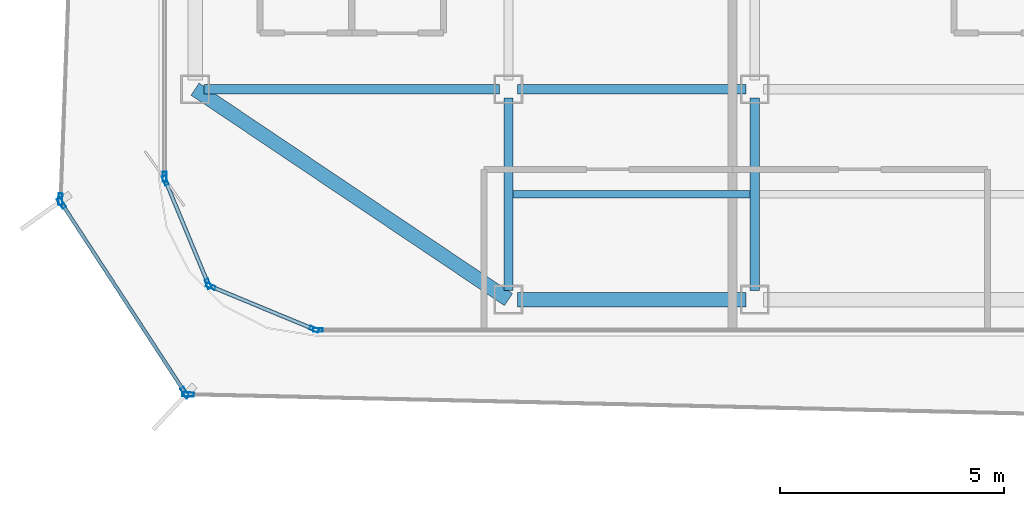
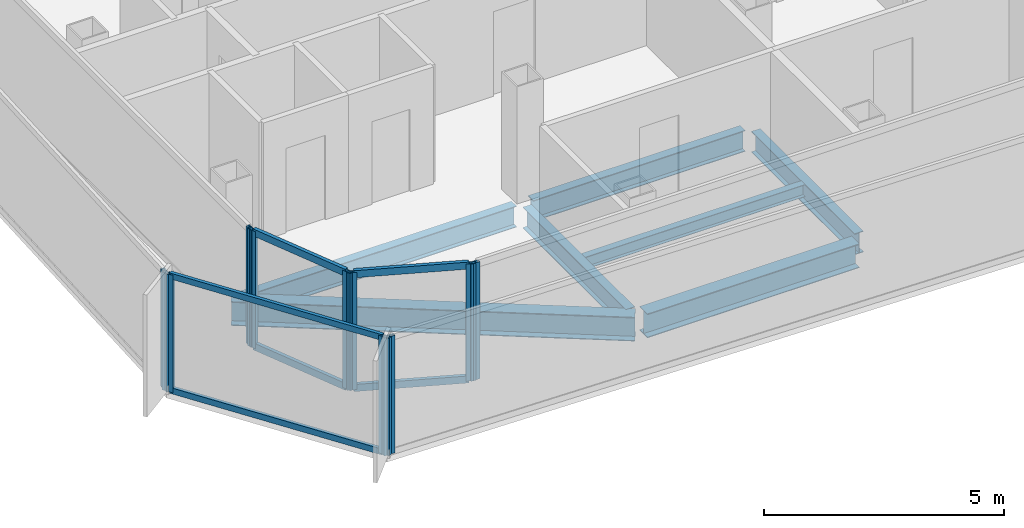
# One storey, part 2 of 15: 16 members, 7 beams, 7 elements without a shape of their own.
"""IFC4 building model written with IfcOpenShell, lengths in metres."""

import ifcopenshell
import ifcopenshell.guid

model = None  # the IFC model being written
_history = None  # IfcOwnerHistory: only IFC2X3 demands one
_inside = {}  # id of a spatial element -> (the spatial element, [elements in it])
_under = {}  # id of a project, library or spatial element -> (it, [spatial elements below it])
_declared = {}  # id of a project -> (the project, [libraries it declares])
_typed = {}  # id of a type object -> (the type object, [elements of that type])
_made_of = {}  # id of a material, layer set ... -> (it, [elements and type objects made of it])


def new_model(schema):
    """Start an empty IFC model of exactly this schema.

    Asked for "IFC4X3", IfcOpenShell would pick the latest addendum, in which some entities
    have other attributes; the version numbers below select the first issue.
    IFC2X3 requires an IfcOwnerHistory on every rooted entity: one is made here for all.
    """
    global model, _history
    if schema == "IFC4X3":
        model = ifcopenshell.file(schema_version=(4, 3, 0, 0))
    else:
        model = ifcopenshell.file(schema=schema)
    _inside.clear()
    _under.clear()
    _declared.clear()
    _typed.clear()
    _made_of.clear()
    _history = None
    if model.schema == "IFC2X3":
        org = make("IfcOrganization", Name="unknown")
        user = make(
            "IfcPersonAndOrganization",
            ThePerson=make("IfcPerson", FamilyName="unknown"),
            TheOrganization=org,
        )
        app = make(
            "IfcApplication",
            ApplicationDeveloper=org,
            Version="unknown",
            ApplicationFullName="unknown",
            ApplicationIdentifier="unknown",
        )
        _history = make(
            "IfcOwnerHistory",
            OwningUser=user,
            OwningApplication=app,
            ChangeAction="ADDED",
            CreationDate=0,
        )
    return model


def make(cls, **values):
    """One entity of the class cls with the attributes given. An attribute that is None is left unset."""
    return model.create_entity(
        cls, **{name: value for name, value in values.items() if value is not None}
    )


def rooted(cls, **values):
    """An entity with a GlobalId (a new one), such as an element, a storey or a relation."""
    return make(cls, GlobalId=ifcopenshell.guid.new(), OwnerHistory=_history, **values)


def si_unit(unit_type, name, prefix=None):
    """IfcSIUnit, for example si_unit("LENGTHUNIT", "METRE", prefix="MILLI")."""
    return make("IfcSIUnit", UnitType=unit_type, Prefix=prefix, Name=name)


def assignment(units):
    """IfcUnitAssignment: the units of a project."""
    return None if units is None else make("IfcUnitAssignment", Units=units)


def point(xyz):
    """IfcCartesianPoint."""
    return None if xyz is None else make("IfcCartesianPoint", Coordinates=xyz)


def direction(xyz):
    """IfcDirection."""
    return None if xyz is None else make("IfcDirection", DirectionRatios=xyz)


def frame(location, z_axis=None, x_axis=None):
    """IfcAxis2Placement3D, a coordinate frame: its origin and axes. An axis left out is left unset."""
    return make(
        "IfcAxis2Placement3D",
        Location=point(location),
        Axis=direction(z_axis),
        RefDirection=direction(x_axis),
    )


def frame_2d(location, x_axis=None):
    """IfcAxis2Placement2D, a coordinate frame in the plane: its origin and x axis."""
    return make(
        "IfcAxis2Placement2D", Location=point(location), RefDirection=direction(x_axis)
    )


def origin():
    """The frame at (0, 0, 0) with its axes left unset."""
    return frame((0.0, 0.0, 0.0))


def origin_2d():
    """The frame at (0, 0) in the plane with its x axis left unset."""
    return frame_2d((0.0, 0.0))


def place(relative_to, where):
    """IfcLocalPlacement: puts the frame where relative to a parent placement (None: the world)."""
    return make(
        "IfcLocalPlacement", PlacementRelTo=relative_to, RelativePlacement=where
    )


def context(
    kind, dimensions, precision=None, world=None, true_north=None, identifier=None
):
    """IfcGeometricRepresentationContext, for example the 3D "Model" context."""
    return make(
        "IfcGeometricRepresentationContext",
        ContextIdentifier=identifier,
        ContextType=kind,
        CoordinateSpaceDimension=dimensions,
        Precision=precision,
        WorldCoordinateSystem=world,
        TrueNorth=true_north,
    )


def subcontext(parent, identifier, kind, view, scale=None):
    """IfcGeometricRepresentationSubContext, for example "Body" below "Model"."""
    return make(
        "IfcGeometricRepresentationSubContext",
        ContextIdentifier=identifier,
        ContextType=kind,
        ParentContext=parent,
        TargetScale=scale,
        TargetView=view,
    )


def project(units=None, contexts=None):
    """IfcProject with its units and contexts."""
    return rooted(
        "IfcProject",
        Name="project",
        RepresentationContexts=contexts,
        UnitsInContext=assignment(units),
    )


def spatial(cls, under=None, at=None, **own):
    """A site, building, storey or space (cls), placed at a placement, below another one or the project."""
    s = rooted(cls, ObjectPlacement=at, **own)
    if under is not None:
        _under.setdefault(under.id(), (under, []))[1].append(s)
    return s


def profile(cls, at=None, kind="AREA", **sizes):
    """A parametric profile (cls). Its sizes go by their IFC names, for example OverallWidth=200.0."""
    return make(cls, ProfileType=kind, Position=at, **sizes)


def hollow_rectangle(**sizes):
    """IfcRectangleHollowProfileDef."""
    return profile("IfcRectangleHollowProfileDef", **sizes)


def i_section(**sizes):
    """IfcIShapeProfileDef."""
    return profile("IfcIShapeProfileDef", **sizes)


def extrude(swept, where, along, depth):
    """IfcExtrudedAreaSolid: the profile swept, set in the frame where, extruded along a direction by depth."""
    return make(
        "IfcExtrudedAreaSolid",
        SweptArea=swept,
        Position=where,
        ExtrudedDirection=direction(along),
        Depth=depth,
    )


def shape(context_of_items, identifier, shape_type, items):
    """IfcShapeRepresentation: the items that make up one representation, for example the "Body"."""
    return make(
        "IfcShapeRepresentation",
        ContextOfItems=context_of_items,
        RepresentationIdentifier=identifier,
        RepresentationType=shape_type,
        Items=items,
    )


def source(mapping_origin, context_of_items, identifier, shape_type, items):
    """IfcRepresentationMap: a shape defined once, which mapped items show again and again."""
    return make(
        "IfcRepresentationMap",
        MappingOrigin=mapping_origin,
        MappedRepresentation=shape(context_of_items, identifier, shape_type, items),
    )


def transform(
    local_origin,
    x_axis=None,
    y_axis=None,
    z_axis=None,
    scale=None,
    scale2=None,
    scale3=None,
    uniform=True,
):
    """IfcCartesianTransformationOperator3D, or its non-uniform kind. x_axis, y_axis, z_axis: its Axis1, 2, 3."""
    if uniform:
        return make(
            "IfcCartesianTransformationOperator3D",
            Axis1=direction(x_axis),
            Axis2=direction(y_axis),
            LocalOrigin=point(local_origin),
            Scale=scale,
            Axis3=direction(z_axis),
        )
    return make(
        "IfcCartesianTransformationOperator3DnonUniform",
        Axis1=direction(x_axis),
        Axis2=direction(y_axis),
        LocalOrigin=point(local_origin),
        Scale=scale,
        Axis3=direction(z_axis),
        Scale2=scale2,
        Scale3=scale3,
    )


def mapped(mapping_source, mapping_target):
    """IfcMappedItem: shows the shape of a source again, moved by a transform."""
    return make(
        "IfcMappedItem", MappingSource=mapping_source, MappingTarget=mapping_target
    )


def material(Name=None, Category=None):
    """IfcMaterial."""
    return make("IfcMaterial", Name=Name, Category=Category)


def layer(
    of_material, thickness, ventilated=None, Name=None, Category=None, Priority=None
):
    """IfcMaterialLayer: one layer of a wall or slab, of a material (None: an air gap)."""
    return make(
        "IfcMaterialLayer",
        Material=of_material,
        LayerThickness=thickness,
        IsVentilated=ventilated,
        Name=Name,
        Category=Category,
        Priority=Priority,
    )


def layer_set(layers, Name=None):
    """IfcMaterialLayerSet."""
    return make("IfcMaterialLayerSet", MaterialLayers=layers, LayerSetName=Name)


def material_profile(
    of_material, cross_section, Name=None, Category=None, Priority=None
):
    """IfcMaterialProfile: a cross section and its material."""
    return make(
        "IfcMaterialProfile",
        Name=Name,
        Material=of_material,
        Profile=cross_section,
        Priority=Priority,
        Category=Category,
    )


def profile_set(profiles, Name=None, composite=None):
    """IfcMaterialProfileSet."""
    return make(
        "IfcMaterialProfileSet",
        Name=Name,
        MaterialProfiles=profiles,
        CompositeProfile=composite,
    )


def made_of(thing, what):
    """Note that an element or type object is made of a material, layer set ...; save() writes the relation."""
    if what is not None:
        _made_of.setdefault(what.id(), (what, []))[1].append(thing)
    return thing


def type_object(cls, material=None, **own):
    """A type object (cls), such as IfcWallType, which elements share."""
    return made_of(rooted(cls, **own), material)


def element(
    cls,
    number,
    at=None,
    inside=None,
    cuts=None,
    type_object=None,
    material=None,
    context=None,
    identifier="Body",
    shape_type=None,
    held_by="IfcProductDefinitionShape",
    body=None,
    shapes=None,
    **own,
):
    """One element of the class cls, such as IfcWall. Its Tag is "e" and its number.

    at: its placement. inside: the storey or other place that contains it. cuts: it is an
    opening in that element (IfcRelVoidsElement). A single representation is given by context,
    identifier, shape_type and body (its items); several are given by shapes. held_by: the class
    of the entity that holds the representations. save() writes the other relations.
    """
    e = rooted(cls, Tag="e%d" % number, ObjectPlacement=at, **own)
    if body is not None:
        shapes = [shape(context, identifier, shape_type, body)]
    if shapes is not None:
        e.Representation = make(held_by, Representations=shapes)
    if inside is not None:
        _inside.setdefault(inside.id(), (inside, []))[1].append(e)
    if cuts is not None:
        rooted(
            "IfcRelVoidsElement", RelatingBuildingElement=cuts, RelatedOpeningElement=e
        )
    if type_object is not None:
        _typed.setdefault(type_object.id(), (type_object, []))[1].append(e)
    return made_of(e, material)


def aggregate(whole, parts):
    """IfcRelAggregates: a whole, such as a stair, and the parts it consists of."""
    return rooted("IfcRelAggregates", RelatingObject=whole, RelatedObjects=parts)


def save(model, path):
    """Write the relations noted so far, then the file.

    IfcRelAggregates (storeys below a building ...), IfcRelContainedInSpatialStructure (elements
    in a storey), IfcRelDefinesByType, IfcRelAssociatesMaterial and IfcRelDeclares: one each for
    every whole, place, type object, material and project.
    """
    for whole, parts in _under.values():
        aggregate(whole, parts)
    for where, things in _inside.values():
        rooted(
            "IfcRelContainedInSpatialStructure",
            RelatedElements=things,
            RelatingStructure=where,
        )
    for kind, things in _typed.values():
        rooted("IfcRelDefinesByType", RelatedObjects=things, RelatingType=kind)
    for what, things in _made_of.values():
        rooted("IfcRelAssociatesMaterial", RelatedObjects=things, RelatingMaterial=what)
    for by, libraries in _declared.values():
        rooted("IfcRelDeclares", RelatingContext=by, RelatedDefinitions=libraries)
    model.write(path)


model = new_model("IFC4")

# Units and contexts
model_context = context("Model", 3, precision=1e-05, world=origin(), true_north=direction((0.0, 1.0)))
body_context = subcontext(model_context, "Body", "Model", "MODEL_VIEW")
ifc_project = project(units=[si_unit("LENGTHUNIT", "METRE"), si_unit("AREAUNIT", "SQUARE_METRE"), si_unit("VOLUMEUNIT", "CUBIC_METRE"), si_unit("PLANEANGLEUNIT", "RADIAN"), si_unit("MASSUNIT", "GRAM", prefix="KILO")], contexts=[model_context])

# Site, building, storey
site_placement = place(None, origin())
site = spatial("IfcSite", under=ifc_project, at=site_placement, CompositionType="ELEMENT")
building_placement = place(site_placement, origin())
building = spatial("IfcBuilding", under=site, at=building_placement, Name="Kolveth Station Tower", CompositionType="ELEMENT")
storey_placement = place(building_placement, frame((0.0, 0.0, 220.10009765625)))
storey = spatial("IfcBuildingStorey", under=building, at=storey_placement, Name="L62", CompositionType="ELEMENT", Elevation=220.10009765625)

# Beams
ifc_material_1 = material(Name="Steel S355", Category="steel")
ifc_material_profile_1 = material_profile(ifc_material_1, i_section(OverallWidth=0.323974609375, OverallDepth=0.611083984375, WebThickness=0.0126953125, FlangeThickness=0.01904296875, at=origin_2d()), Name="W610x155")
ifc_profile_set_1 = profile_set([ifc_material_profile_1], Name="Steel S355")
beam_type_1 = type_object("IfcBeamType", Name="Beam_SP2", PredefinedType="SPANDREL", material=ifc_profile_set_1)
shared_shape_1 = source(origin(), body_context, "Body", "SweptSolid", [
    extrude(i_section(OverallWidth=0.323974609375, OverallDepth=0.611083984375, WebThickness=0.0126953125, FlangeThickness=0.01904296875, at=origin_2d()), origin(), (0.0, 0.0, 1.0), 8.431396484375),
])
beam_1_placement = place(storey_placement, frame((6.0, 5.5, -0.525634765625), z_axis=(0.830223811004, -0.557430196206, 0.0), x_axis=(0.557430196206, 0.830223811004, 0.0)))
element("IfcBeam", 1, at=beam_1_placement, inside=storey, type_object=beam_type_1, Name="L62 Corner Edge Girder BM-L62-CNR-SW", PredefinedType="SPANDREL", context=body_context, shape_type="MappedRepresentation", body=[
    mapped(shared_shape_1, transform((0.0, 0.0, 0.0), x_axis=(1.0, 0.0, 0.0), y_axis=(0.0, 1.0, 0.0), z_axis=(0.0, 0.0, 1.0), scale=1.0)),
])
shared_shape_2 = source(origin(), body_context, "Body", "SweptSolid", [
    extrude(i_section(OverallWidth=0.323974609375, OverallDepth=0.611083984375, WebThickness=0.0126953125, FlangeThickness=0.01904296875, at=origin_2d()), origin(), (0.0, 0.0, 1.0), 5.10009765625),
])
beam_2_placement = place(storey_placement, frame((13.199951171875, 0.800048828125, -0.525634765625), z_axis=(1.0, 0.0, 0.0), x_axis=(0.0, 1.0, 0.0)))
element("IfcBeam", 2, at=beam_2_placement, inside=storey, type_object=beam_type_1, Name="L62 Perimeter Spandrel BM-L62-PS-1", PredefinedType="SPANDREL", context=body_context, shape_type="MappedRepresentation", body=[
    mapped(shared_shape_2, transform((0.0, 0.0, 0.0), x_axis=(1.0, 0.0, 0.0), y_axis=(0.0, 1.0, 0.0), z_axis=(0.0, 0.0, 1.0), scale=1.0)),
])
ifc_material_profile_2 = material_profile(ifc_material_1, i_section(OverallWidth=0.2099609375, OverallDepth=0.537109375, WebThickness=0.010986328125, FlangeThickness=0.017333984375, at=origin_2d()), Name="W530x101")
ifc_profile_set_2 = profile_set([ifc_material_profile_2], Name="Steel S355")
beam_type_2 = type_object("IfcBeamType", Name="Beam_B6", PredefinedType="BEAM", material=ifc_profile_set_2)
shared_shape_3 = source(origin(), body_context, "Body", "SweptSolid", [
    extrude(i_section(OverallWidth=0.2099609375, OverallDepth=0.537109375, WebThickness=0.010986328125, FlangeThickness=0.017333984375, at=origin_2d()), origin(), (0.0, 0.0, 1.0), 6.60009765625),
])
beam_3_placement = place(storey_placement, frame((6.199951171875, 5.5, -0.488525390625), z_axis=(1.0, 0.0, 0.0), x_axis=(0.0, 1.0, 0.0)))
element("IfcBeam", 3, at=beam_3_placement, inside=storey, type_object=beam_type_2, Name="L62 Primary Girder BM-L62-GY55-1", PredefinedType="BEAM", context=body_context, shape_type="MappedRepresentation", body=[
    mapped(shared_shape_3, transform((0.0, 0.0, 0.0), x_axis=(1.0, 0.0, 0.0), y_axis=(0.0, 1.0, 0.0), z_axis=(0.0, 0.0, 1.0), scale=1.0)),
])
shared_shape_4 = source(origin(), body_context, "Body", "SweptSolid", [
    extrude(i_section(OverallWidth=0.2099609375, OverallDepth=0.537109375, WebThickness=0.010986328125, FlangeThickness=0.017333984375, at=origin_2d()), origin(), (0.0, 0.0, 1.0), 5.10009765625),
])
beam_4_placement = place(storey_placement, frame((13.199951171875, 5.5, -0.488525390625), z_axis=(1.0, 0.0, 0.0), x_axis=(0.0, 1.0, 0.0)))
element("IfcBeam", 4, at=beam_4_placement, inside=storey, type_object=beam_type_2, Name="L62 Primary Girder BM-L62-GY55-2", PredefinedType="BEAM", context=body_context, shape_type="MappedRepresentation", body=[
    mapped(shared_shape_4, transform((0.0, 0.0, 0.0), x_axis=(1.0, 0.0, 0.0), y_axis=(0.0, 1.0, 0.0), z_axis=(0.0, 0.0, 1.0), scale=1.0)),
])
shared_shape_5 = source(origin(), body_context, "Body", "SweptSolid", [
    extrude(i_section(OverallWidth=0.2099609375, OverallDepth=0.537109375, WebThickness=0.010986328125, FlangeThickness=0.017333984375, at=origin_2d()), origin(), (0.0, 0.0, 1.0), 4.300048828125),
])
for number, where, z_axis, x_axis, name in (
    (5, (13.0, 1.0, -0.488525390625), (0.0, 1.0, 0.0), (-1.0, 0.0, 0.0), "L62 Primary Girder BM-L62-GX130-1"),
    (6, (18.5, 1.0, -0.488525390625), (0.0, 1.0, 0.0), (-1.0, 0.0, 0.0), "L62 Primary Girder BM-L62-GX185-1"),
):
    element("IfcBeam", number, at=place(storey_placement, frame(where, z_axis=z_axis, x_axis=x_axis)), inside=storey, type_object=beam_type_2, Name=name, PredefinedType="BEAM", context=body_context, shape_type="MappedRepresentation", body=[
        mapped(shared_shape_5, transform((0.0, 0.0, 0.0), x_axis=(1.0, 0.0, 0.0), y_axis=(0.0, 1.0, 0.0), z_axis=(0.0, 0.0, 1.0), scale=1.0)),
    ])
ifc_material_profile_3 = material_profile(ifc_material_1, i_section(OverallWidth=0.1650390625, OverallDepth=0.31005859375, WebThickness=0.005859375, FlangeThickness=0.009765625, at=origin_2d()), Name="W310x39")
ifc_profile_set_3 = profile_set([ifc_material_profile_3], Name="Steel S355")
beam_type_3 = type_object("IfcBeamType", Name="Beam_J3", PredefinedType="JOIST", material=ifc_profile_set_3)
shared_shape_6 = source(origin(), body_context, "Body", "SweptSolid", [
    extrude(i_section(OverallWidth=0.1650390625, OverallDepth=0.31005859375, WebThickness=0.005859375, FlangeThickness=0.009765625, at=origin_2d()), origin(), (0.0, 0.0, 1.0), 5.2939453125),
])
beam_5_placement = place(storey_placement, frame((13.10302734375, 3.14990234375, -0.375), z_axis=(1.0, 0.0, 0.0), x_axis=(0.0, 1.0, 0.0)))
element("IfcBeam", 7, at=beam_5_placement, inside=storey, type_object=beam_type_3, Name="L62 Secondary Joist JST-L62-2-1", PredefinedType="JOIST", context=body_context, shape_type="MappedRepresentation", body=[
    mapped(shared_shape_6, transform((0.0, 0.0, 0.0), x_axis=(1.0, 0.0, 0.0), y_axis=(0.0, 1.0, 0.0), z_axis=(0.0, 0.0, 1.0), scale=1.0)),
])

# Curtain wall, member
ifc_material_2 = material(Name="Black anodized aluminium 6063-T6 and dark solar glass", Category="aluminium")
ifc_layer_1 = layer(ifc_material_2, 0.159912109375)
ifc_layer_set_1 = layer_set([ifc_layer_1], Name="Black anodized aluminium 6063-T6 and dark solar glass")
curtain_wall_type_1 = type_object("IfcCurtainWallType", Name="OUTER SKIN CW-OS", PredefinedType="NOTDEFINED", material=ifc_layer_set_1)
curtain_wall_1_placement = place(storey_placement, origin())
curtain_wall_1 = element("IfcCurtainWall", 8, at=curtain_wall_1_placement, inside=storey, type_object=curtain_wall_type_1, Name="L62 Outer Ventilated Skin Curtain Wall 6", PredefinedType="NOTDEFINED")
ifc_material_3 = material(Name="Black anodized aluminium 6063-T6", Category="aluminium")
ifc_material_profile_4 = material_profile(ifc_material_3, hollow_rectangle(XDim=0.090087890625, YDim=0.260009765625, WallThickness=0.0048828125, at=origin_2d()), Name="ALU-90x260x5")
ifc_profile_set_4 = profile_set([ifc_material_profile_4], Name="Black anodized aluminium 6063-T6")
member_type_1 = type_object("IfcMemberType", Name="FIN MULLION ML-OS", PredefinedType="MULLION", material=ifc_profile_set_4)
shared_shape_7 = source(origin(), body_context, "Body", "SweptSolid", [
    extrude(hollow_rectangle(XDim=0.090087890625, YDim=0.260009765625, WallThickness=0.0048828125, at=origin_2d()), origin(), (0.0, 0.0, 1.0), 2.989990234375),
])
member_1_placement = place(storey_placement, frame((2.99267578125, 3.040771484375, 0.0), z_axis=(0.0, 0.0, 1.0), x_axis=(0.999287907634, -0.03773165324, 0.0)))
member_1 = element("IfcMember", 9, at=member_1_placement, type_object=member_type_1, Name="CW-OS mullion 2", PredefinedType="MULLION", context=body_context, shape_type="MappedRepresentation", body=[
    mapped(shared_shape_7, transform((0.0, 0.0, 0.0), x_axis=(1.0, 0.0, 0.0), y_axis=(0.0, 1.0, 0.0), z_axis=(0.0, 0.0, 1.0), scale=1.0)),
])
aggregate(curtain_wall_1, [member_1])

# Curtain wall, members
curtain_wall_2_placement = place(storey_placement, origin())
curtain_wall_2 = element("IfcCurtainWall", 10, at=curtain_wall_2_placement, inside=storey, type_object=curtain_wall_type_1, Name="L62 Outer Ventilated Skin Curtain Wall 7", PredefinedType="NOTDEFINED")
member_2_placement = place(storey_placement, frame((3.015625, 2.9580078125, 0.0), z_axis=(0.0, 0.0, 1.0), x_axis=(0.837896033875, 0.54582986032, 0.0)))
member_2 = element("IfcMember", 11, at=member_2_placement, type_object=member_type_1, Name="CW-OS mullion 1", PredefinedType="MULLION", context=body_context, shape_type="MappedRepresentation", body=[
    mapped(shared_shape_7, transform((0.0, 0.0, 0.0), x_axis=(1.0, 0.0, 0.0), y_axis=(0.0, 1.0, 0.0), z_axis=(0.0, 0.0, 1.0), scale=1.0)),
])
member_3_placement = place(storey_placement, frame((5.776611328125, -1.2802734375, 0.0), z_axis=(0.0, 0.0, 1.0), x_axis=(0.837896033875, 0.54582986032, 0.0)))
member_3 = element("IfcMember", 12, at=member_3_placement, type_object=member_type_1, Name="CW-OS mullion 2", PredefinedType="MULLION", context=body_context, shape_type="MappedRepresentation", body=[
    mapped(shared_shape_7, transform((0.0, 0.0, 0.0), x_axis=(1.0, 0.0, 0.0), y_axis=(0.0, 1.0, 0.0), z_axis=(0.0, 0.0, 1.0), scale=1.0)),
])

# Curtain wall, member
curtain_wall_3_placement = place(storey_placement, origin())
curtain_wall_3 = element("IfcCurtainWall", 13, at=curtain_wall_3_placement, inside=storey, type_object=curtain_wall_type_1, Name="L62 Outer Ventilated Skin Curtain Wall 8", PredefinedType="NOTDEFINED")
member_4_placement = place(storey_placement, frame((5.84619140625, -1.319091796875, 0.0), z_axis=(0.0, 0.0, 1.0), x_axis=(0.022953791437, 0.99973652702, 0.0)))
member_4 = element("IfcMember", 14, at=member_4_placement, type_object=member_type_1, Name="CW-OS mullion 1", PredefinedType="MULLION", context=body_context, shape_type="MappedRepresentation", body=[
    mapped(shared_shape_7, transform((0.0, 0.0, 0.0), x_axis=(1.0, 0.0, 0.0), y_axis=(0.0, 1.0, 0.0), z_axis=(0.0, 0.0, 1.0), scale=1.0)),
])
aggregate(curtain_wall_3, [member_4])

ifc_material_4 = material(Name="Aluminium 6063-T6 and triple low-E dark glass", Category="aluminium")
ifc_layer_2 = layer(ifc_material_4, 0.199951171875)
ifc_layer_set_2 = layer_set([ifc_layer_2], Name="Aluminium 6063-T6 and triple low-E dark glass")
curtain_wall_type_2 = type_object("IfcCurtainWallType", Name="CurtainWall_CW-Z3", PredefinedType="NOTDEFINED", material=ifc_layer_set_2)
curtain_wall_4_placement = place(storey_placement, origin())
curtain_wall_4 = element("IfcCurtainWall", 15, at=curtain_wall_4_placement, inside=storey, type_object=curtain_wall_type_2, Name="L62 Inner Thermal Curtain Wall 9", PredefinedType="NOTDEFINED")
ifc_material_profile_5 = material_profile(ifc_material_3, hollow_rectangle(XDim=0.0849609375, YDim=0.215087890625, WallThickness=0.0048828125, at=origin_2d()), Name="ALU-85x215x5")
ifc_profile_set_5 = profile_set([ifc_material_profile_5], Name="Black anodized aluminium 6063-T6")
member_type_2 = type_object("IfcMemberType", Name="Mullion_ML3", PredefinedType="MULLION", material=ifc_profile_set_5)
shared_shape_8 = source(origin(), body_context, "Body", "SweptSolid", [
    extrude(hollow_rectangle(XDim=0.0849609375, YDim=0.215087890625, WallThickness=0.0048828125, at=origin_2d()), origin(), (0.0, 0.0, 1.0), 2.97998046875),
])
member_5_placement = place(storey_placement, frame((5.320068359375, 3.54248046875, 0.0), z_axis=(0.0, 0.0, 1.0), x_axis=(1.0, 0.0, 0.0)))
member_5 = element("IfcMember", 16, at=member_5_placement, type_object=member_type_2, Name="CW-Z3 mullion 2", PredefinedType="MULLION", context=body_context, shape_type="MappedRepresentation", body=[
    mapped(shared_shape_8, transform((0.0, 0.0, 0.0), x_axis=(1.0, 0.0, 0.0), y_axis=(0.0, 1.0, 0.0), z_axis=(0.0, 0.0, 1.0), scale=1.0)),
])
aggregate(curtain_wall_4, [member_5])

# Curtain wall, members
curtain_wall_5_placement = place(storey_placement, origin())
curtain_wall_5 = element("IfcCurtainWall", 17, at=curtain_wall_5_placement, inside=storey, type_object=curtain_wall_type_2, Name="L62 Inner Thermal Curtain Wall 10", PredefinedType="NOTDEFINED")
member_6_placement = place(storey_placement, frame((5.336181640625, 3.460693359375, 0.0), z_axis=(0.0, 0.0, 1.0), x_axis=(0.923875488975, 0.382693194181, 0.0)))
member_6 = element("IfcMember", 18, at=member_6_placement, type_object=member_type_2, Name="CW-Z3 mullion 1", PredefinedType="MULLION", context=body_context, shape_type="MappedRepresentation", body=[
    mapped(shared_shape_8, transform((0.0, 0.0, 0.0), x_axis=(1.0, 0.0, 0.0), y_axis=(0.0, 1.0, 0.0), z_axis=(0.0, 0.0, 1.0), scale=1.0)),
])
member_7_placement = place(storey_placement, frame((6.293701171875, 1.149169921875, 0.0), z_axis=(0.0, 0.0, 1.0), x_axis=(0.923875488975, 0.382693194181, 0.0)))
member_7 = element("IfcMember", 19, at=member_7_placement, type_object=member_type_2, Name="CW-Z3 mullion 2", PredefinedType="MULLION", context=body_context, shape_type="MappedRepresentation", body=[
    mapped(shared_shape_8, transform((0.0, 0.0, 0.0), x_axis=(1.0, 0.0, 0.0), y_axis=(0.0, 1.0, 0.0), z_axis=(0.0, 0.0, 1.0), scale=1.0)),
])

curtain_wall_6_placement = place(storey_placement, origin())
curtain_wall_6 = element("IfcCurtainWall", 20, at=curtain_wall_6_placement, inside=storey, type_object=curtain_wall_type_2, Name="L62 Inner Thermal Curtain Wall 11", PredefinedType="NOTDEFINED")
member_8_placement = place(storey_placement, frame((6.349365234375, 1.09375, 0.0), z_axis=(0.0, 0.0, 1.0), x_axis=(0.382693194181, 0.923875488975, 0.0)))
member_8 = element("IfcMember", 21, at=member_8_placement, type_object=member_type_2, Name="CW-Z3 mullion 1", PredefinedType="MULLION", context=body_context, shape_type="MappedRepresentation", body=[
    mapped(shared_shape_8, transform((0.0, 0.0, 0.0), x_axis=(1.0, 0.0, 0.0), y_axis=(0.0, 1.0, 0.0), z_axis=(0.0, 0.0, 1.0), scale=1.0)),
])
member_9_placement = place(storey_placement, frame((8.66064453125, 0.13623046875, 0.0), z_axis=(0.0, 0.0, 1.0), x_axis=(0.382693194181, 0.923875488975, 0.0)))
member_9 = element("IfcMember", 22, at=member_9_placement, type_object=member_type_2, Name="CW-Z3 mullion 2", PredefinedType="MULLION", context=body_context, shape_type="MappedRepresentation", body=[
    mapped(shared_shape_8, transform((0.0, 0.0, 0.0), x_axis=(1.0, 0.0, 0.0), y_axis=(0.0, 1.0, 0.0), z_axis=(0.0, 0.0, 1.0), scale=1.0)),
])

# Curtain wall, member
curtain_wall_7_placement = place(storey_placement, origin())
curtain_wall_7 = element("IfcCurtainWall", 23, at=curtain_wall_7_placement, inside=storey, type_object=curtain_wall_type_2, Name="L62 Inner Thermal Curtain Wall 12", PredefinedType="NOTDEFINED")
member_10_placement = place(storey_placement, frame((8.742431640625, 0.1201171875, 0.0), z_axis=(0.0, 0.0, 1.0), x_axis=(0.0, 1.0, 0.0)))
member_10 = element("IfcMember", 24, at=member_10_placement, type_object=member_type_2, Name="CW-Z3 mullion 1", PredefinedType="MULLION", context=body_context, shape_type="MappedRepresentation", body=[
    mapped(shared_shape_8, transform((0.0, 0.0, 0.0), x_axis=(1.0, 0.0, 0.0), y_axis=(0.0, 1.0, 0.0), z_axis=(0.0, 0.0, 1.0), scale=1.0)),
])
aggregate(curtain_wall_7, [member_10])

# Member
ifc_material_profile_6 = material_profile(ifc_material_3, hollow_rectangle(XDim=0.0849609375, YDim=0.179931640625, WallThickness=0.0048828125, at=origin_2d()), Name="ALU-85x180x5")
ifc_profile_set_6 = profile_set([ifc_material_profile_6], Name="Black anodized aluminium 6063-T6")
member_type_3 = type_object("IfcMemberType", Name="Transom_TR3", PredefinedType="USERDEFINED", material=ifc_profile_set_6)
shared_shape_9 = source(origin(), body_context, "Body", "SweptSolid", [
    extrude(hollow_rectangle(XDim=0.0849609375, YDim=0.179931640625, WallThickness=0.0048828125, at=origin_2d()), origin(), (0.0, 0.0, 1.0), 2.4169921875),
])
member_11_placement = place(storey_placement, frame((5.3525390625, 3.42138671875, 0.04248046875), z_axis=(0.382735401206, -0.9238580046, 0.0), x_axis=(0.9238580046, 0.382735401206, 0.0)))
member_11 = element("IfcMember", 25, at=member_11_placement, type_object=member_type_3, Name="CW-Z3 transom 1.1", ObjectType="TRANSOM", PredefinedType="USERDEFINED", context=body_context, shape_type="MappedRepresentation", body=[
    mapped(shared_shape_9, transform((0.0, 0.0, 0.0), x_axis=(1.0, 0.0, 0.0), y_axis=(0.0, 1.0, 0.0), z_axis=(0.0, 0.0, 1.0), scale=1.0)),
])

member_12_placement = place(storey_placement, frame((5.3525390625, 3.42138671875, 2.9375), z_axis=(0.382735401206, -0.9238580046, 0.0), x_axis=(0.9238580046, 0.382735401206, 0.0)))
member_12 = element("IfcMember", 26, at=member_12_placement, type_object=member_type_3, Name="CW-Z3 transom 1.2", ObjectType="TRANSOM", PredefinedType="USERDEFINED", context=body_context, shape_type="MappedRepresentation", body=[
    mapped(shared_shape_9, transform((0.0, 0.0, 0.0), x_axis=(1.0, 0.0, 0.0), y_axis=(0.0, 1.0, 0.0), z_axis=(0.0, 0.0, 1.0), scale=1.0)),
])

aggregate(curtain_wall_5, [member_6, member_7, member_11, member_12])

member_13_placement = place(storey_placement, frame((6.388427734375, 1.077392578125, 0.04248046875), z_axis=(0.923908507952, -0.382613471971, 0.0), x_axis=(0.382613471971, 0.923908507952, 0.0)))
member_13 = element("IfcMember", 27, at=member_13_placement, type_object=member_type_3, Name="CW-Z3 transom 1.1", ObjectType="TRANSOM", PredefinedType="USERDEFINED", context=body_context, shape_type="MappedRepresentation", body=[
    mapped(shared_shape_9, transform((0.0, 0.0, 0.0), x_axis=(1.0, 0.0, 0.0), y_axis=(0.0, 1.0, 0.0), z_axis=(0.0, 0.0, 1.0), scale=1.0)),
])

member_14_placement = place(storey_placement, frame((6.388427734375, 1.077392578125, 2.9375), z_axis=(0.923908507952, -0.382613471971, 0.0), x_axis=(0.382613471971, 0.923908507952, 0.0)))
member_14 = element("IfcMember", 28, at=member_14_placement, type_object=member_type_3, Name="CW-Z3 transom 1.2", ObjectType="TRANSOM", PredefinedType="USERDEFINED", context=body_context, shape_type="MappedRepresentation", body=[
    mapped(shared_shape_9, transform((0.0, 0.0, 0.0), x_axis=(1.0, 0.0, 0.0), y_axis=(0.0, 1.0, 0.0), z_axis=(0.0, 0.0, 1.0), scale=1.0)),
])

aggregate(curtain_wall_6, [member_8, member_9, member_13, member_14])

ifc_material_profile_7 = material_profile(ifc_material_3, hollow_rectangle(XDim=0.080078125, YDim=0.14990234375, WallThickness=0.0048828125, at=origin_2d()), Name="ALU-80x150x5")
ifc_profile_set_7 = profile_set([ifc_material_profile_7], Name="Black anodized aluminium 6063-T6")
member_type_4 = type_object("IfcMemberType", Name="Transom_TR-OS", PredefinedType="USERDEFINED", material=ifc_profile_set_7)
shared_shape_10 = source(origin(), body_context, "Body", "SweptSolid", [
    extrude(hollow_rectangle(XDim=0.080078125, YDim=0.14990234375, WallThickness=0.0048828125, at=origin_2d()), origin(), (0.0, 0.0, 1.0), 4.968505859375),
])
member_15_placement = place(storey_placement, frame((3.0400390625, 2.92041015625, 0.039794921875), z_axis=(0.545858526063, -0.837877359477, 0.0), x_axis=(0.837877359477, 0.545858526063, 0.0)))
member_15 = element("IfcMember", 29, at=member_15_placement, type_object=member_type_4, Name="CW-OS transom 1.1", ObjectType="TRANSOM", PredefinedType="USERDEFINED", context=body_context, shape_type="MappedRepresentation", body=[
    mapped(shared_shape_10, transform((0.0, 0.0, 0.0), x_axis=(1.0, 0.0, 0.0), y_axis=(0.0, 1.0, 0.0), z_axis=(0.0, 0.0, 1.0), scale=1.0)),
])

member_16_placement = place(storey_placement, frame((3.0400390625, 2.92041015625, 2.949951171875), z_axis=(0.545858526063, -0.837877359477, 0.0), x_axis=(0.837877359477, 0.545858526063, 0.0)))
member_16 = element("IfcMember", 30, at=member_16_placement, type_object=member_type_4, Name="CW-OS transom 1.2", ObjectType="TRANSOM", PredefinedType="USERDEFINED", context=body_context, shape_type="MappedRepresentation", body=[
    mapped(shared_shape_10, transform((0.0, 0.0, 0.0), x_axis=(1.0, 0.0, 0.0), y_axis=(0.0, 1.0, 0.0), z_axis=(0.0, 0.0, 1.0), scale=1.0)),
])

aggregate(curtain_wall_2, [member_2, member_3, member_15, member_16])

save(model, "model.ifc")
